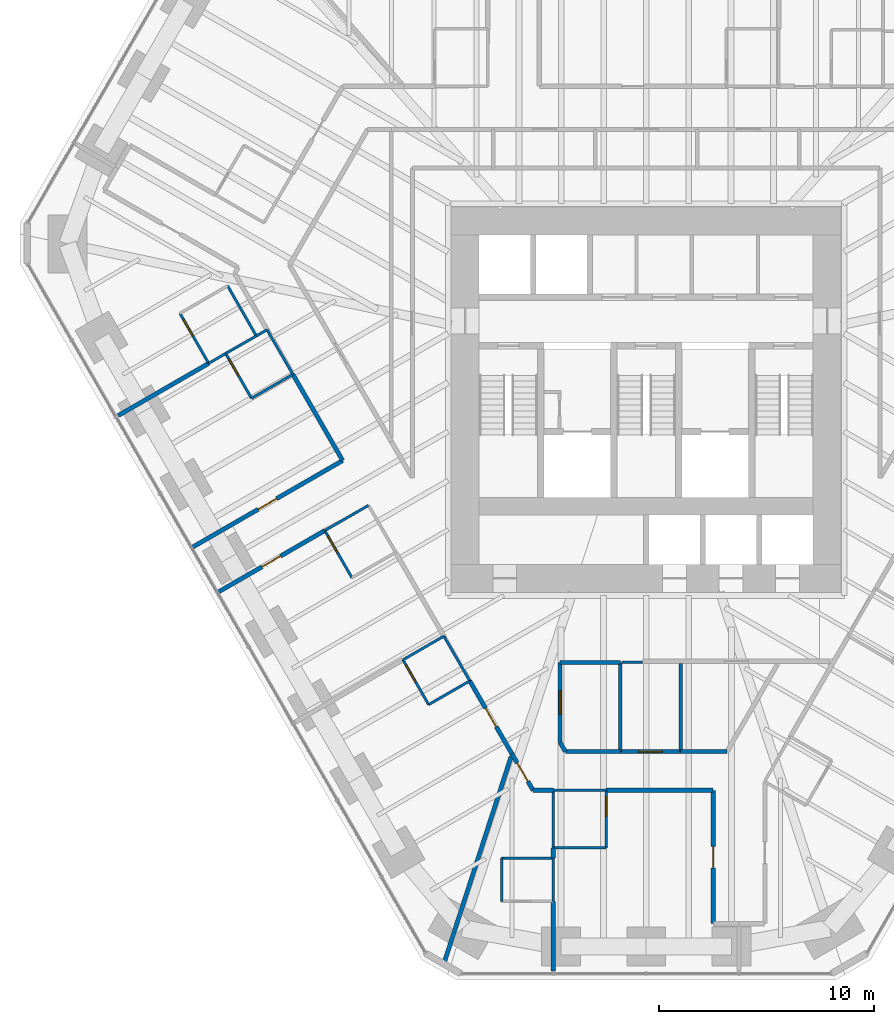
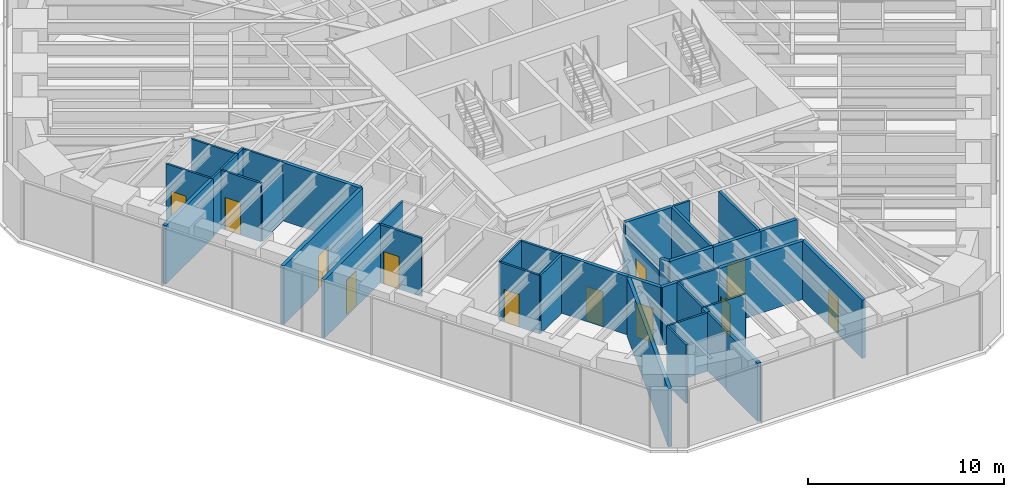
# One storey, part 11 of 17: 42 walls, 12 doors, 12 openings.
"""IFC4 building model written with IfcOpenShell, lengths in metres."""

from ifc_helpers import new_model, si_unit, direction, frame, frame_2d, origin, place, context, subcontext, project, spatial, rectangle, extrude, material, layer, layer_set, type_object, element, fill, save


model = new_model("IFC4")

# Units and contexts
model_context = context("Model", 3, precision=1e-05, world=origin(), true_north=direction((0.0, 1.0)))
body_context = subcontext(model_context, "Body", "Model", "MODEL_VIEW")
ifc_project = project(units=[si_unit("LENGTHUNIT", "METRE"), si_unit("AREAUNIT", "SQUARE_METRE"), si_unit("VOLUMEUNIT", "CUBIC_METRE"), si_unit("PLANEANGLEUNIT", "RADIAN"), si_unit("MASSUNIT", "GRAM", prefix="KILO")], contexts=[model_context])

# Site, building, storey
site_placement = place(None, origin())
site = spatial("IfcSite", under=ifc_project, at=site_placement, CompositionType="ELEMENT")
building_placement = place(site_placement, origin())
building = spatial("IfcBuilding", under=site, at=building_placement, Name="Sandreach Pilgrim Tower", CompositionType="ELEMENT")
storey_placement = place(building_placement, frame((0.0, 0.0, 112.0)))
storey = spatial("IfcBuildingStorey", under=building, at=storey_placement, Name="L27", CompositionType="ELEMENT", Elevation=112.0)

# Walls
ifc_material_1 = material(Name="Gypsum board on steel studs", Category="steel")
ifc_layer_1 = layer(ifc_material_1, 0.14990234375)
ifc_layer_set_1 = layer_set([ifc_layer_1], Name="Back of house wall 150")
wall_type_1 = type_object("IfcWallType", Name="Back of house wall 150", PredefinedType="PARTITIONING", material=ifc_layer_set_1)
wall_1_placement = place(storey_placement, frame((-1.199951171875, -13.75, 0.0), z_axis=(0.0, 0.0, 1.0), x_axis=(0.0, -1.0, 0.0)))
element("IfcWall", 1, at=wall_1_placement, inside=storey, type_object=wall_type_1, Name="Back of house wall L27-080", PredefinedType="PARTITIONING", context=body_context, shape_type="SweptSolid", body=[
    extrude(rectangle(XDim=4.139892578125, YDim=0.14990234375, at=frame_2d((2.06982421875, 0.0))), origin(), (0.0, 0.0, 1.0), 3.639892578125),
])
wall_2_placement = place(storey_placement, frame((1.60009765625, -13.800048828125, 0.0), z_axis=(0.0, 0.0, 1.0), x_axis=(0.0, -1.0, 0.0)))
element("IfcWall", 2, at=wall_2_placement, inside=storey, type_object=wall_type_1, Name="Back of house wall L27-083", PredefinedType="PARTITIONING", context=body_context, shape_type="SweptSolid", body=[
    extrude(rectangle(XDim=4.08984375, YDim=0.14990234375, at=frame_2d((2.044921875, 0.0))), origin(), (0.0, 0.0, 1.0), 3.639892578125),
])

# Wall, opening, door
ifc_material_2 = material(Name="Moisture-resistant gypsum board on steel studs", Category="steel")
ifc_layer_2 = layer(ifc_material_2, 0.1201171875)
ifc_layer_set_2 = layer_set([ifc_layer_2], Name="Bathroom partition 120")
wall_type_2 = type_object("IfcWallType", Name="Bathroom partition 120", PredefinedType="PARTITIONING", material=ifc_layer_set_2)
wall_3_placement = place(storey_placement, frame((-21.639892578125, 2.449951171875, 0.0), z_axis=(0.0, 0.0, 1.0), x_axis=(0.497288831399, -0.867585049529, 0.0)))
wall_3 = element("IfcWall", 3, at=wall_3_placement, inside=storey, type_object=wall_type_2, Name="Bathroom partition L27-007", PredefinedType="PARTITIONING", context=body_context, shape_type="SweptSolid", body=[
    extrude(rectangle(XDim=2.674072265625, YDim=0.1201171875, at=frame_2d((1.3369140625, 0.0))), origin(), (0.0, 0.0, 1.0), 3.639892578125),
])
opening_1_placement = place(wall_3_placement, frame((0.300048828125, 0.0, 0.0)))
opening_1 = element("IfcOpeningElement", 4, at=opening_1_placement, cuts=wall_3, Name="Opening D09-15B", PredefinedType="OPENING", context=body_context, shape_type="SweptSolid", body=[
    extrude(rectangle(XDim=0.89990234375, YDim=2.030029296875, at=frame_2d((0.449951171875, 1.01513671875))), frame((0.0, 0.06005859375, 0.0), z_axis=(0.0, -1.0, 0.0), x_axis=(1.0, 0.0, 0.0)), (0.0, 0.0, 1.0), 0.1201171875),
])
ifc_material_3 = material(Name="Timber door, steel frame", Category="steel")
door_type_1 = type_object("IfcDoorType", Name="Bathroom door", OperationType="SINGLE_SWING_LEFT", PredefinedType="DOOR", material=ifc_material_3)
door_1_placement = place(opening_1_placement, origin())
door_1 = element("IfcDoor", 5, at=door_1_placement, inside=storey, type_object=door_type_1, Name="Door 2715B", OperationType="SINGLE_SWING_LEFT", OverallHeight=2.030029296875, OverallWidth=0.89990234375, PredefinedType="DOOR", context=body_context, shape_type="SweptSolid", body=[
    extrude(rectangle(XDim=0.89990234375, YDim=2.030029296875, at=frame_2d((0.449951171875, 1.01513671875))), frame((0.0, 0.02490234375, 0.0), z_axis=(0.0, -1.0, 0.0), x_axis=(1.0, 0.0, 0.0)), (0.0, 0.0, 1.0), 0.050048828125),
])
fill(opening_1, door_1)

# Wall
wall_4_placement = place(storey_placement, frame((-20.31005859375, 0.1298828125, 0.0), z_axis=(0.0, 0.0, 1.0), x_axis=(0.864088651014, 0.503339649926, 0.0)))
element("IfcWall", 6, at=wall_4_placement, inside=storey, type_object=wall_type_2, Name="Bathroom partition L27-008", PredefinedType="PARTITIONING", context=body_context, shape_type="SweptSolid", body=[
    extrude(rectangle(XDim=0.914306640625, YDim=0.1201171875, at=frame_2d((0.45703125, 0.0))), origin(), (0.0, 0.0, 1.0), 3.639892578125),
])

# Wall, opening, door
wall_5_placement = place(storey_placement, frame((-19.52001953125, 0.590087890625, 0.0), z_axis=(0.0, 0.0, 1.0), x_axis=(0.499693115345, -0.866202511239, 0.0)))
wall_5 = element("IfcWall", 7, at=wall_5_placement, inside=storey, type_object=wall_type_2, Name="Bathroom partition L27-011", PredefinedType="PARTITIONING", context=body_context, shape_type="SweptSolid", body=[
    extrude(rectangle(XDim=2.4013671875, YDim=0.1201171875, at=frame_2d((1.20068359375, 0.0))), origin(), (0.0, 0.0, 1.0), 3.639892578125),
])
opening_2_placement = place(wall_5_placement, frame((0.300048828125, 0.0, 0.0)))
opening_2 = element("IfcOpeningElement", 8, at=opening_2_placement, cuts=wall_5, Name="Opening D09-14B", PredefinedType="OPENING", context=body_context, shape_type="SweptSolid", body=[
    extrude(rectangle(XDim=0.89990234375, YDim=2.030029296875, at=frame_2d((0.449951171875, 1.01513671875))), frame((0.0, 0.06005859375, 0.0), z_axis=(0.0, -1.0, 0.0), x_axis=(1.0, 0.0, 0.0)), (0.0, 0.0, 1.0), 0.1201171875),
])
door_2_placement = place(opening_2_placement, origin())
door_2 = element("IfcDoor", 9, at=door_2_placement, inside=storey, type_object=door_type_1, Name="Door 2714B", OperationType="SINGLE_SWING_LEFT", OverallHeight=2.030029296875, OverallWidth=0.89990234375, PredefinedType="DOOR", context=body_context, shape_type="SweptSolid", body=[
    extrude(rectangle(XDim=0.89990234375, YDim=2.030029296875, at=frame_2d((0.449951171875, 1.01513671875))), frame((0.0, 0.02490234375, 0.0), z_axis=(0.0, -1.0, 0.0), x_axis=(1.0, 0.0, 0.0)), (0.0, 0.0, 1.0), 0.050048828125),
])
fill(opening_2, door_2)

# Walls
wall_6_placement = place(storey_placement, frame((-19.52001953125, 0.590087890625, 0.0), z_axis=(0.0, 0.0, 1.0), x_axis=(0.868013991935, 0.496539736381, 0.0)))
element("IfcWall", 10, at=wall_6_placement, inside=storey, type_object=wall_type_2, Name="Bathroom partition L27-012", PredefinedType="PARTITIONING", context=body_context, shape_type="SweptSolid", body=[
    extrude(rectangle(XDim=1.6396484375, YDim=0.1201171875, at=frame_2d((0.81982421875, 0.0))), origin(), (0.0, 0.0, 1.0), 3.639892578125),
])
wall_7_placement = place(storey_placement, frame((-18.320068359375, -1.489990234375, 0.0), z_axis=(0.0, 0.0, 1.0), x_axis=(0.865732595383, 0.500506816428, 0.0)))
element("IfcWall", 11, at=wall_7_placement, inside=storey, type_object=wall_type_2, Name="Bathroom partition L27-017", PredefinedType="PARTITIONING", context=body_context, shape_type="SweptSolid", body=[
    extrude(rectangle(XDim=2.218017578125, YDim=0.1201171875, at=frame_2d((1.10888671875, 0.0))), origin(), (0.0, 0.0, 1.0), 3.022705078125),
])
wall_8_placement = place(storey_placement, frame((-18.10009765625, 1.409912109375, 0.0), z_axis=(0.0, 0.0, 1.0), x_axis=(-0.497288831399, 0.867585049529, 0.0)))
element("IfcWall", 12, at=wall_8_placement, inside=storey, type_object=wall_type_2, Name="Bathroom partition L27-018", PredefinedType="PARTITIONING", context=body_context, shape_type="SweptSolid", body=[
    extrude(rectangle(XDim=2.674072265625, YDim=0.1201171875, at=frame_2d((1.3369140625, 0.0))), origin(), (0.0, 0.0, 1.0), 3.639892578125),
])
wall_9_placement = place(storey_placement, frame((-18.0966796875, 1.404296875, 0.0), z_axis=(0.0, 0.0, 1.0), x_axis=(0.866823419736, 0.498615241441, 0.0)))
element("IfcWall", 13, at=wall_9_placement, inside=storey, type_object=wall_type_2, Name="Bathroom partition L27-019", PredefinedType="PARTITIONING", context=body_context, shape_type="SweptSolid", body=[
    extrude(rectangle(XDim=0.57275390625, YDim=0.1201171875, at=frame_2d((0.286376953125, 0.0))), origin(), (0.0, 0.0, 1.0), 3.639892578125),
])
wall_10_placement = place(storey_placement, frame((-17.60009765625, 1.68994140625, 0.0), z_axis=(0.0, 0.0, 1.0), x_axis=(0.501579132034, -0.865111769836, 0.0)))
element("IfcWall", 14, at=wall_10_placement, inside=storey, type_object=wall_type_2, Name="Bathroom partition L27-021", PredefinedType="PARTITIONING", context=body_context, shape_type="SweptSolid", body=[
    extrude(rectangle(XDim=2.392822265625, YDim=0.1201171875, at=frame_2d((1.1962890625, 0.0))), origin(), (0.0, 0.0, 1.0), 3.639892578125),
])

# Wall, opening, door
wall_11_placement = place(storey_placement, frame((-14.919921875, -7.6298828125, 0.0), z_axis=(0.0, 0.0, 1.0), x_axis=(0.498665353881, -0.866794592068, 0.0)))
wall_11 = element("IfcWall", 15, at=wall_11_placement, inside=storey, type_object=wall_type_2, Name="Bathroom partition L27-027", PredefinedType="PARTITIONING", context=body_context, shape_type="SweptSolid", body=[
    extrude(rectangle(XDim=2.52685546875, YDim=0.1201171875, at=frame_2d((1.263427734375, 0.0))), origin(), (0.0, 0.0, 1.0), 3.639892578125),
])
opening_3_placement = place(wall_11_placement, frame((0.300048828125, 0.0, 0.0)))
opening_3 = element("IfcOpeningElement", 16, at=opening_3_placement, cuts=wall_11, Name="Opening D09-13B", PredefinedType="OPENING", context=body_context, shape_type="SweptSolid", body=[
    extrude(rectangle(XDim=0.89990234375, YDim=2.030029296875, at=frame_2d((0.449951171875, 1.01513671875))), frame((0.0, 0.06005859375, 0.0), z_axis=(0.0, -1.0, 0.0), x_axis=(1.0, 0.0, 0.0)), (0.0, 0.0, 1.0), 0.1201171875),
])
door_3_placement = place(opening_3_placement, origin())
door_3 = element("IfcDoor", 17, at=door_3_placement, inside=storey, type_object=door_type_1, Name="Door 2713B", OperationType="SINGLE_SWING_LEFT", OverallHeight=2.030029296875, OverallWidth=0.89990234375, PredefinedType="DOOR", context=body_context, shape_type="SweptSolid", body=[
    extrude(rectangle(XDim=0.89990234375, YDim=2.030029296875, at=frame_2d((0.449951171875, 1.01513671875))), frame((0.0, 0.02490234375, 0.0), z_axis=(0.0, -1.0, 0.0), x_axis=(1.0, 0.0, 0.0)), (0.0, 0.0, 1.0), 0.050048828125),
])
fill(opening_3, door_3)

# Wall
wall_12_placement = place(storey_placement, frame((-14.919921875, -7.6298828125, 0.0), z_axis=(0.0, 0.0, 1.0), x_axis=(0.866390229467, 0.499367570316, 0.0)))
element("IfcWall", 18, at=wall_12_placement, inside=storey, type_object=wall_type_2, Name="Bathroom partition L27-028", PredefinedType="PARTITIONING", context=body_context, shape_type="SweptSolid", body=[
    extrude(rectangle(XDim=2.3427734375, YDim=0.1201171875, at=frame_2d((1.17138671875, 0.0))), origin(), (0.0, 0.0, 1.0), 3.639892578125),
])

# Wall, opening, door
wall_13_placement = place(storey_placement, frame((-11.2900390625, -13.6298828125, 0.0), z_axis=(0.0, 0.0, 1.0), x_axis=(0.496555799318, -0.868004803076, 0.0)))
wall_13 = element("IfcWall", 19, at=wall_13_placement, inside=storey, type_object=wall_type_2, Name="Bathroom partition L27-038", PredefinedType="PARTITIONING", context=body_context, shape_type="SweptSolid", body=[
    extrude(rectangle(XDim=2.396484375, YDim=0.1201171875, at=frame_2d((1.1982421875, 0.0))), origin(), (0.0, 0.0, 1.0), 3.639892578125),
])
opening_4_placement = place(wall_13_placement, frame((0.300048828125, 0.0, 0.0)))
opening_4 = element("IfcOpeningElement", 20, at=opening_4_placement, cuts=wall_13, Name="Opening D09-12B", PredefinedType="OPENING", context=body_context, shape_type="SweptSolid", body=[
    extrude(rectangle(XDim=0.89990234375, YDim=2.030029296875, at=frame_2d((0.449951171875, 1.01513671875))), frame((0.0, 0.06005859375, 0.0), z_axis=(0.0, -1.0, 0.0), x_axis=(1.0, 0.0, 0.0)), (0.0, 0.0, 1.0), 0.1201171875),
])
door_4_placement = place(opening_4_placement, origin())
door_4 = element("IfcDoor", 21, at=door_4_placement, inside=storey, type_object=door_type_1, Name="Door 2712B", OperationType="SINGLE_SWING_LEFT", OverallHeight=2.030029296875, OverallWidth=0.89990234375, PredefinedType="DOOR", context=body_context, shape_type="SweptSolid", body=[
    extrude(rectangle(XDim=0.89990234375, YDim=2.030029296875, at=frame_2d((0.449951171875, 1.01513671875))), frame((0.0, 0.02490234375, 0.0), z_axis=(0.0, -1.0, 0.0), x_axis=(1.0, 0.0, 0.0)), (0.0, 0.0, 1.0), 0.050048828125),
])
fill(opening_4, door_4)

# Walls
wall_14_placement = place(storey_placement, frame((-11.2900390625, -13.6298828125, 0.0), z_axis=(0.0, 0.0, 1.0), x_axis=(0.865444051011, 0.501005583372, 0.0)))
element("IfcWall", 22, at=wall_14_placement, inside=storey, type_object=wall_type_2, Name="Bathroom partition L27-039", PredefinedType="PARTITIONING", context=body_context, shape_type="SweptSolid", body=[
    extrude(rectangle(XDim=2.1953125, YDim=0.1201171875, at=frame_2d((1.09765625, 0.0))), origin(), (0.0, 0.0, 1.0), 3.639892578125),
])
wall_15_placement = place(storey_placement, frame((-10.10009765625, -15.7099609375, 0.0), z_axis=(0.0, 0.0, 1.0), x_axis=(0.866609394187, 0.498987132006, 0.0)))
element("IfcWall", 23, at=wall_15_placement, inside=storey, type_object=wall_type_2, Name="Bathroom partition L27-043", PredefinedType="PARTITIONING", context=body_context, shape_type="SweptSolid", body=[
    extrude(rectangle(XDim=2.2041015625, YDim=0.1201171875, at=frame_2d((1.10205078125, 0.0))), origin(), (0.0, 0.0, 1.0), 3.639892578125),
])
wall_16_placement = place(storey_placement, frame((-9.389892578125, -12.530029296875, 0.0), z_axis=(0.0, 0.0, 1.0), x_axis=(0.499737123639, -0.866177122335, 0.0)))
element("IfcWall", 24, at=wall_16_placement, inside=storey, type_object=wall_type_2, Name="Bathroom partition L27-047", PredefinedType="PARTITIONING", context=body_context, shape_type="SweptSolid", body=[
    extrude(rectangle(XDim=2.401123046875, YDim=0.1201171875, at=frame_2d((1.20068359375, 0.0))), origin(), (0.0, 0.0, 1.0), 3.639892578125),
])
for number, where, z_axis, x_axis, name in (
    (25, (-6.7099609375, -22.840087890625, 0.0), (0.0, 0.0, 1.0), (0.0, -1.0, 0.0), "Bathroom partition L27-057"),
    (26, (-4.31005859375, -24.840087890625, 0.0), (0.0, 0.0, 1.0), (0.0, 1.0, 0.0), "Bathroom partition L27-065"),
):
    element("IfcWall", number, at=place(storey_placement, frame(where, z_axis=z_axis, x_axis=x_axis)), inside=storey, type_object=wall_type_2, Name=name, PredefinedType="PARTITIONING", context=body_context, shape_type="SweptSolid", body=[
        extrude(rectangle(XDim=2.0, YDim=0.1201171875, at=frame_2d((1.0, 0.0))), origin(), (0.0, 0.0, 1.0), 3.639892578125),
    ])
wall_17_placement = place(storey_placement, frame((-4.31005859375, -22.840087890625, 0.0), z_axis=(0.0, 0.0, 1.0), x_axis=(-1.0, 0.0, 0.0)))
element("IfcWall", 27, at=wall_17_placement, inside=storey, type_object=wall_type_2, Name="Bathroom partition L27-066", PredefinedType="PARTITIONING", context=body_context, shape_type="SweptSolid", body=[
    extrude(rectangle(XDim=2.39990234375, YDim=0.1201171875, at=frame_2d((1.199951171875, 0.0))), origin(), (0.0, 0.0, 1.0), 3.639892578125),
])
wall_18_placement = place(storey_placement, frame((-4.31005859375, -22.360107421875, 0.0), z_axis=(0.0, 0.0, 1.0), x_axis=(0.0, 1.0, 0.0)))
element("IfcWall", 28, at=wall_18_placement, inside=storey, type_object=wall_type_2, Name="Bathroom partition L27-068", PredefinedType="PARTITIONING", context=body_context, shape_type="SweptSolid", body=[
    extrude(rectangle(XDim=2.670166015625, YDim=0.1201171875, at=frame_2d((1.3349609375, 0.0))), origin(), (0.0, 0.0, 1.0), 3.639892578125),
])
for number, where, z_axis, x_axis, name in (
    (29, (-4.31005859375, -22.360107421875, 0.0), (0.0, 0.0, 1.0), (1.0, 0.0, 0.0), "Bathroom partition L27-069"),
    (30, (-4.31005859375, -19.68994140625, 0.0), (0.0, 0.0, 1.0), (1.0, 0.0, 0.0), "Bathroom partition L27-070"),
):
    element("IfcWall", number, at=place(storey_placement, frame(where, z_axis=z_axis, x_axis=x_axis)), inside=storey, type_object=wall_type_2, Name=name, PredefinedType="PARTITIONING", context=body_context, shape_type="SweptSolid", body=[
        extrude(rectangle(XDim=2.449951171875, YDim=0.1201171875, at=frame_2d((1.22509765625, 0.0))), origin(), (0.0, 0.0, 1.0), 3.639892578125),
    ])

# Wall, opening, door
wall_19_placement = place(storey_placement, frame((-1.860107421875, -22.360107421875, 0.0), z_axis=(0.0, 0.0, 1.0), x_axis=(0.0, 1.0, 0.0)))
wall_19 = element("IfcWall", 31, at=wall_19_placement, inside=storey, type_object=wall_type_2, Name="Bathroom partition L27-077", PredefinedType="PARTITIONING", context=body_context, shape_type="SweptSolid", body=[
    extrude(rectangle(XDim=2.670166015625, YDim=0.1201171875, at=frame_2d((1.3349609375, 0.0))), origin(), (0.0, 0.0, 1.0), 2.860107421875),
])
opening_5_placement = place(wall_19_placement, frame((1.469970703125, 0.0, 0.0)))
opening_5 = element("IfcOpeningElement", 32, at=opening_5_placement, cuts=wall_19, Name="Opening D09-10B", PredefinedType="OPENING", context=body_context, shape_type="SweptSolid", body=[
    extrude(rectangle(XDim=0.89990234375, YDim=2.030029296875, at=frame_2d((0.449951171875, 1.01513671875))), frame((0.0, 0.06005859375, 0.0), z_axis=(0.0, -1.0, 0.0), x_axis=(1.0, 0.0, 0.0)), (0.0, 0.0, 1.0), 0.1201171875),
])
door_5_placement = place(opening_5_placement, origin())
door_5 = element("IfcDoor", 33, at=door_5_placement, inside=storey, type_object=door_type_1, Name="Door 2710B", OperationType="SINGLE_SWING_RIGHT", OverallHeight=2.030029296875, OverallWidth=0.89990234375, PredefinedType="DOOR", context=body_context, shape_type="SweptSolid", body=[
    extrude(rectangle(XDim=0.89990234375, YDim=2.030029296875, at=frame_2d((0.449951171875, 1.01513671875))), frame((0.0, 0.02490234375, 0.0), z_axis=(0.0, -1.0, 0.0), x_axis=(1.0, 0.0, 0.0)), (0.0, 0.0, 1.0), 0.050048828125),
])
fill(opening_5, door_5)

# Wall
wall_20_placement = place(storey_placement, frame((-1.125, -13.75, 0.0), z_axis=(0.0, 0.0, 1.0), x_axis=(1.0, 0.0, 0.0)))
element("IfcWall", 34, at=wall_20_placement, inside=storey, type_object=wall_type_2, Name="Bathroom partition L27-081", PredefinedType="PARTITIONING", context=body_context, shape_type="SweptSolid", body=[
    extrude(rectangle(XDim=0.955078125, YDim=0.1201171875, at=frame_2d((0.4775390625, 0.0))), origin(), (0.0, 0.0, 1.0), 3.639892578125),
])

# Wall, opening, door
ifc_material_4 = material(Name="Gypsum board on steel studs, two layers each side", Category="steel")
ifc_layer_3 = layer(ifc_material_4, 0.199951171875)
ifc_layer_set_3 = layer_set([ifc_layer_3], Name="Corridor wall 200")
wall_type_3 = type_object("IfcWallType", Name="Corridor wall 200", PredefinedType="PARTITIONING", material=ifc_layer_set_3)
wall_21_placement = place(storey_placement, frame((-19.884033203125, -10.4951171875, 0.0), z_axis=(0.0, 0.0, 1.0), x_axis=(0.86608558139, 0.499895754841, 0.0)))
wall_21 = element("IfcWall", 35, at=wall_21_placement, inside=storey, type_object=wall_type_3, Name="Corridor wall L27-010", PredefinedType="PARTITIONING", context=body_context, shape_type="SweptSolid", body=[
    extrude(rectangle(XDim=5.731689453125, YDim=0.199951171875, at=frame_2d((2.86572265625, 0.0))), origin(), (0.0, 0.0, 1.0), 3.639892578125),
])
opening_6_placement = place(wall_21_placement, frame((2.36572265625, 0.0, 0.0)))
opening_6 = element("IfcOpeningElement", 36, at=opening_6_placement, cuts=wall_21, Name="Opening D10-13", PredefinedType="OPENING", context=body_context, shape_type="SweptSolid", body=[
    extrude(rectangle(XDim=1.0, YDim=2.1298828125, at=frame_2d((0.5, 1.06494140625))), frame((0.0, 0.10009765625, 0.0), z_axis=(0.0, -1.0, 0.0), x_axis=(1.0, 0.0, 0.0)), (0.0, 0.0, 1.0), 0.199951171875),
])
ifc_material_5 = material(Name="Steel door and frame", Category="steel")
door_type_2 = type_object("IfcDoorType", Name="Guest room entry door", OperationType="SINGLE_SWING_LEFT", PredefinedType="DOOR", material=ifc_material_5)
door_6_placement = place(opening_6_placement, origin())
door_6 = element("IfcDoor", 37, at=door_6_placement, inside=storey, type_object=door_type_2, Name="Door 2713", OperationType="SINGLE_SWING_LEFT", OverallHeight=2.1298828125, OverallWidth=1.0, PredefinedType="DOOR", context=body_context, shape_type="SweptSolid", body=[
    extrude(rectangle(XDim=1.0, YDim=2.1298828125, at=frame_2d((0.5, 1.06494140625))), frame((0.0, 0.02490234375, 0.0), z_axis=(0.0, -1.0, 0.0), x_axis=(1.0, 0.0, 0.0)), (0.0, 0.0, 1.0), 0.050048828125),
])
fill(opening_6, door_6)

# Wall
wall_22_placement = place(storey_placement, frame((-16.39990234375, -0.3798828125, 0.0), z_axis=(0.0, 0.0, 1.0), x_axis=(0.500091179446, -0.865972754907, 0.0)))
element("IfcWall", 38, at=wall_22_placement, inside=storey, type_object=wall_type_3, Name="Corridor wall L27-025", PredefinedType="PARTITIONING", context=body_context, shape_type="SweptSolid", body=[
    extrude(rectangle(XDim=4.604248046875, YDim=0.199951171875, at=frame_2d((2.30224609375, 0.0))), origin(), (0.0, 0.0, 1.0), 3.639892578125),
])

# Wall, opening, door
wall_23_placement = place(storey_placement, frame((-14.090087890625, -4.3798828125, 0.0), z_axis=(0.0, 0.0, 1.0), x_axis=(-0.866174008169, -0.499742521277, 0.0)))
wall_23 = element("IfcWall", 39, at=wall_23_placement, inside=storey, type_object=wall_type_3, Name="Corridor wall L27-029", PredefinedType="PARTITIONING", context=body_context, shape_type="SweptSolid", body=[
    extrude(rectangle(XDim=8.074462890625, YDim=0.199951171875, at=frame_2d((4.037109375, 0.0))), origin(), (0.0, 0.0, 1.0), 3.639892578125),
])
opening_7_placement = place(wall_23_placement, frame((3.537353515625, 0.0, 0.0)))
opening_7 = element("IfcOpeningElement", 40, at=opening_7_placement, cuts=wall_23, Name="Opening D10-14", PredefinedType="OPENING", context=body_context, shape_type="SweptSolid", body=[
    extrude(rectangle(XDim=1.0, YDim=2.1298828125, at=frame_2d((0.5, 1.06494140625))), frame((0.0, 0.10009765625, 0.0), z_axis=(0.0, -1.0, 0.0), x_axis=(1.0, 0.0, 0.0)), (0.0, 0.0, 1.0), 0.199951171875),
])
door_7_placement = place(opening_7_placement, origin())
door_7 = element("IfcDoor", 41, at=door_7_placement, inside=storey, type_object=door_type_2, Name="Door 2714", OperationType="SINGLE_SWING_LEFT", OverallHeight=2.1298828125, OverallWidth=1.0, PredefinedType="DOOR", context=body_context, shape_type="SweptSolid", body=[
    extrude(rectangle(XDim=1.0, YDim=2.1298828125, at=frame_2d((0.5, 1.06494140625))), frame((0.0, 0.02490234375, 0.0), z_axis=(0.0, -1.0, 0.0), x_axis=(1.0, 0.0, 0.0)), (0.0, 0.0, 1.0), 0.050048828125),
])
fill(opening_7, door_7)

wall_24_placement = place(storey_placement, frame((-8.18994140625, -14.610107421875, 0.0), z_axis=(0.0, 0.0, 1.0), x_axis=(0.50053726643, -0.86571499058, 0.0)))
wall_24 = element("IfcWall", 42, at=wall_24_placement, inside=storey, type_object=wall_type_3, Name="Corridor wall L27-048", PredefinedType="PARTITIONING", context=body_context, shape_type="SweptSolid", body=[
    extrude(rectangle(XDim=3.915771484375, YDim=0.199951171875, at=frame_2d((1.9580078125, 0.0))), origin(), (0.0, 0.0, 1.0), 3.639892578125),
])
opening_8_placement = place(wall_24_placement, frame((1.4580078125, 0.0, 0.0)))
opening_8 = element("IfcOpeningElement", 43, at=opening_8_placement, cuts=wall_24, Name="Opening D10-12", PredefinedType="OPENING", context=body_context, shape_type="SweptSolid", body=[
    extrude(rectangle(XDim=1.0, YDim=2.1298828125, at=frame_2d((0.5, 1.06494140625))), frame((0.0, 0.10009765625, 0.0), z_axis=(0.0, -1.0, 0.0), x_axis=(1.0, 0.0, 0.0)), (0.0, 0.0, 1.0), 0.199951171875),
])
door_8_placement = place(opening_8_placement, origin())
door_8 = element("IfcDoor", 44, at=door_8_placement, inside=storey, type_object=door_type_2, Name="Door 2712", OperationType="SINGLE_SWING_LEFT", OverallHeight=2.1298828125, OverallWidth=1.0, PredefinedType="DOOR", context=body_context, shape_type="SweptSolid", body=[
    extrude(rectangle(XDim=1.0, YDim=2.1298828125, at=frame_2d((0.5, 1.06494140625))), frame((0.0, 0.02490234375, 0.0), z_axis=(0.0, -1.0, 0.0), x_axis=(1.0, 0.0, 0.0)), (0.0, 0.0, 1.0), 0.050048828125),
])
fill(opening_8, door_8)

wall_25_placement = place(storey_placement, frame((-6.22998046875, -18.0, 0.0), z_axis=(0.0, 0.0, 1.0), x_axis=(0.501647016168, -0.86507240805, 0.0)))
wall_25 = element("IfcWall", 45, at=wall_25_placement, inside=storey, type_object=wall_type_3, Name="Corridor wall L27-058", PredefinedType="PARTITIONING", context=body_context, shape_type="SweptSolid", body=[
    extrude(rectangle(XDim=1.95361328125, YDim=0.199951171875, at=frame_2d((0.976806640625, 0.0))), origin(), (0.0, 0.0, 1.0), 3.639892578125),
])
opening_9_placement = place(wall_25_placement, frame((0.476806640625, 0.0, 0.0)))
opening_9 = element("IfcOpeningElement", 46, at=opening_9_placement, cuts=wall_25, Name="Opening D10-11", PredefinedType="OPENING", context=body_context, shape_type="SweptSolid", body=[
    extrude(rectangle(XDim=1.0, YDim=2.1298828125, at=frame_2d((0.5, 1.06494140625))), frame((0.0, 0.10009765625, 0.0), z_axis=(0.0, -1.0, 0.0), x_axis=(1.0, 0.0, 0.0)), (0.0, 0.0, 1.0), 0.199951171875),
])
door_9_placement = place(opening_9_placement, origin())
door_9 = element("IfcDoor", 47, at=door_9_placement, inside=storey, type_object=door_type_2, Name="Door 2711", OperationType="SINGLE_SWING_LEFT", OverallHeight=2.1298828125, OverallWidth=1.0, PredefinedType="DOOR", context=body_context, shape_type="SweptSolid", body=[
    extrude(rectangle(XDim=1.0, YDim=2.1298828125, at=frame_2d((0.5, 1.06494140625))), frame((0.0, 0.02490234375, 0.0), z_axis=(0.0, -1.0, 0.0), x_axis=(1.0, 0.0, 0.0)), (0.0, 0.0, 1.0), 0.050048828125),
])
fill(opening_9, door_9)

# Wall
wall_26_placement = place(storey_placement, frame((-5.25, -19.68994140625, 0.0), z_axis=(0.0, 0.0, 1.0), x_axis=(1.0, 0.0, 0.0)))
element("IfcWall", 48, at=wall_26_placement, inside=storey, type_object=wall_type_3, Name="Corridor wall L27-061", PredefinedType="PARTITIONING", context=body_context, shape_type="SweptSolid", body=[
    extrude(rectangle(XDim=0.93994140625, YDim=0.199951171875, at=frame_2d((0.469970703125, 0.0))), origin(), (0.0, 0.0, 1.0), 3.639892578125),
])

# Wall, opening, door
wall_27_placement = place(storey_placement, frame((-4.0, -17.4599609375, 0.0), z_axis=(0.0, 0.0, 1.0), x_axis=(0.0, 1.0, 0.0)))
wall_27 = element("IfcWall", 49, at=wall_27_placement, inside=storey, type_object=wall_type_3, Name="Corridor wall L27-071", PredefinedType="PARTITIONING", context=body_context, shape_type="SweptSolid", body=[
    extrude(rectangle(XDim=3.7099609375, YDim=0.199951171875, at=frame_2d((1.85498046875, 0.0))), origin(), (0.0, 0.0, 1.0), 2.8779296875),
])
opening_10_placement = place(wall_27_placement, frame((1.304931640625, 0.0, 0.0)))
opening_10 = element("IfcOpeningElement", 50, at=opening_10_placement, cuts=wall_27, Name="Opening D11H-S2", PredefinedType="OPENING", context=body_context, shape_type="SweptSolid", body=[
    extrude(rectangle(XDim=1.10009765625, YDim=2.199951171875, at=frame_2d((0.550048828125, 1.10009765625))), frame((0.0, 0.10009765625, 0.0), z_axis=(0.0, -1.0, 0.0), x_axis=(1.0, 0.0, 0.0)), (0.0, 0.0, 1.0), 0.199951171875),
])
ifc_material_6 = material(Name="Steel door and frame", Category="steel")
door_type_3 = type_object("IfcDoorType", Name="Back of house door", OperationType="SINGLE_SWING_LEFT", PredefinedType="DOOR", material=ifc_material_6)
door_10_placement = place(opening_10_placement, origin())
door_10 = element("IfcDoor", 51, at=door_10_placement, inside=storey, type_object=door_type_3, Name="Door 27S2", OperationType="SINGLE_SWING_LEFT", OverallHeight=2.199951171875, OverallWidth=1.10009765625, PredefinedType="DOOR", context=body_context, shape_type="SweptSolid", body=[
    extrude(rectangle(XDim=1.10009765625, YDim=2.199951171875, at=frame_2d((0.550048828125, 1.10009765625))), frame((0.0, 0.02490234375, 0.0), z_axis=(0.0, -1.0, 0.0), x_axis=(1.0, 0.0, 0.0)), (0.0, 0.0, 1.0), 0.050048828125),
])
fill(opening_10, door_10)

# Walls
wall_28_placement = place(storey_placement, frame((-3.989990234375, -13.75, 0.0), z_axis=(0.0, 0.0, 1.0), x_axis=(1.0, 0.0, 0.0)))
element("IfcWall", 52, at=wall_28_placement, inside=storey, type_object=wall_type_3, Name="Corridor wall L27-072", PredefinedType="PARTITIONING", context=body_context, shape_type="SweptSolid", body=[
    extrude(rectangle(XDim=2.7900390625, YDim=0.199951171875, at=frame_2d((1.39501953125, 0.0))), origin(), (0.0, 0.0, 1.0), 3.639892578125),
])
wall_29_placement = place(storey_placement, frame((-3.75, -17.889892578125, 0.0), z_axis=(0.0, 0.0, 1.0), x_axis=(-0.502680181512, 0.864472460588, 0.0)))
element("IfcWall", 53, at=wall_29_placement, inside=storey, type_object=wall_type_3, Name="Corridor wall L27-073", PredefinedType="PARTITIONING", context=body_context, shape_type="SweptSolid", body=[
    extrude(rectangle(XDim=0.497314453125, YDim=0.199951171875, at=frame_2d((0.24853515625, 0.0))), origin(), (0.0, 0.0, 1.0), 3.639892578125),
])
wall_30_placement = place(storey_placement, frame((-1.860107421875, -19.68994140625, 0.0), z_axis=(0.0, 0.0, 1.0), x_axis=(1.0, 0.0, 0.0)))
element("IfcWall", 54, at=wall_30_placement, inside=storey, type_object=wall_type_3, Name="Corridor wall L27-078", PredefinedType="PARTITIONING", context=body_context, shape_type="SweptSolid", body=[
    extrude(rectangle(XDim=4.960205078125, YDim=0.199951171875, at=frame_2d((2.47998046875, 0.0))), origin(), (0.0, 0.0, 1.0), 3.639892578125),
])
wall_31_placement = place(storey_placement, frame((-1.199951171875, -17.889892578125, 0.0), z_axis=(0.0, 0.0, 1.0), x_axis=(-1.0, 0.0, 0.0)))
element("IfcWall", 55, at=wall_31_placement, inside=storey, type_object=wall_type_3, Name="Corridor wall L27-079", PredefinedType="PARTITIONING", context=body_context, shape_type="SweptSolid", body=[
    extrude(rectangle(XDim=2.550048828125, YDim=0.199951171875, at=frame_2d((1.27490234375, 0.0))), origin(), (0.0, 0.0, 1.0), 3.639892578125),
])

# Wall, opening, door
wall_32_placement = place(storey_placement, frame((1.60009765625, -17.889892578125, 0.0), z_axis=(0.0, 0.0, 1.0), x_axis=(-1.0, 0.0, 0.0)))
wall_32 = element("IfcWall", 56, at=wall_32_placement, inside=storey, type_object=wall_type_3, Name="Corridor wall L27-082", PredefinedType="PARTITIONING", context=body_context, shape_type="SweptSolid", body=[
    extrude(rectangle(XDim=2.800048828125, YDim=0.199951171875, at=frame_2d((1.39990234375, 0.0))), origin(), (0.0, 0.0, 1.0), 3.639892578125),
])
opening_11_placement = place(wall_32_placement, frame((0.85009765625, 0.0, 0.0)))
opening_11 = element("IfcOpeningElement", 57, at=opening_11_placement, cuts=wall_32, Name="Opening D11H-S3", PredefinedType="OPENING", context=body_context, shape_type="SweptSolid", body=[
    extrude(rectangle(XDim=1.10009765625, YDim=2.199951171875, at=frame_2d((0.550048828125, 1.10009765625))), frame((0.0, 0.10009765625, 0.0), z_axis=(0.0, -1.0, 0.0), x_axis=(1.0, 0.0, 0.0)), (0.0, 0.0, 1.0), 0.199951171875),
])
door_11_placement = place(opening_11_placement, origin())
door_11 = element("IfcDoor", 58, at=door_11_placement, inside=storey, type_object=door_type_3, Name="Door 27S3", OperationType="SINGLE_SWING_LEFT", OverallHeight=2.199951171875, OverallWidth=1.10009765625, PredefinedType="DOOR", context=body_context, shape_type="SweptSolid", body=[
    extrude(rectangle(XDim=1.10009765625, YDim=2.199951171875, at=frame_2d((0.550048828125, 1.10009765625))), frame((0.0, 0.02490234375, 0.0), z_axis=(0.0, -1.0, 0.0), x_axis=(1.0, 0.0, 0.0)), (0.0, 0.0, 1.0), 0.050048828125),
])
fill(opening_11, door_11)

wall_33_placement = place(storey_placement, frame((3.110107421875, -19.68994140625, 0.0), z_axis=(0.0, 0.0, 1.0), x_axis=(0.0, -1.0, 0.0)))
wall_33 = element("IfcWall", 59, at=wall_33_placement, inside=storey, type_object=wall_type_3, Name="Corridor wall L27-087", PredefinedType="PARTITIONING", context=body_context, shape_type="SweptSolid", body=[
    extrude(rectangle(XDim=6.18994140625, YDim=0.199951171875, at=frame_2d((3.094970703125, 0.0))), origin(), (0.0, 0.0, 1.0), 3.639892578125),
])
opening_12_placement = place(wall_33_placement, frame((2.594970703125, 0.0, 0.0)))
opening_12 = element("IfcOpeningElement", 60, at=opening_12_placement, cuts=wall_33, Name="Opening D10-10", PredefinedType="OPENING", context=body_context, shape_type="SweptSolid", body=[
    extrude(rectangle(XDim=1.0, YDim=2.1298828125, at=frame_2d((0.5, 1.06494140625))), frame((0.0, 0.10009765625, 0.0), z_axis=(0.0, -1.0, 0.0), x_axis=(1.0, 0.0, 0.0)), (0.0, 0.0, 1.0), 0.199951171875),
])
door_12_placement = place(opening_12_placement, origin())
door_12 = element("IfcDoor", 61, at=door_12_placement, inside=storey, type_object=door_type_2, Name="Door 2710", OperationType="SINGLE_SWING_LEFT", OverallHeight=2.1298828125, OverallWidth=1.0, PredefinedType="DOOR", context=body_context, shape_type="SweptSolid", body=[
    extrude(rectangle(XDim=1.0, YDim=2.1298828125, at=frame_2d((0.5, 1.06494140625))), frame((0.0, 0.02490234375, 0.0), z_axis=(0.0, -1.0, 0.0), x_axis=(1.0, 0.0, 0.0)), (0.0, 0.0, 1.0), 0.050048828125),
])
fill(opening_12, door_12)

# Walls
wall_34_placement = place(storey_placement, frame((3.75, -17.889892578125, 0.0), z_axis=(0.0, 0.0, 1.0), x_axis=(-1.0, 0.0, 0.0)))
element("IfcWall", 62, at=wall_34_placement, inside=storey, type_object=wall_type_3, Name="Corridor wall L27-091", PredefinedType="PARTITIONING", context=body_context, shape_type="SweptSolid", body=[
    extrude(rectangle(XDim=2.14990234375, YDim=0.199951171875, at=frame_2d((1.074951171875, 0.0))), origin(), (0.0, 0.0, 1.0), 3.639892578125),
])
ifc_material_7 = material(Name="Double steel stud acoustic wall, gypsum board", Category="steel")
ifc_layer_4 = layer(ifc_material_7, 0.199951171875)
ifc_layer_set_4 = layer_set([ifc_layer_4], Name="Party wall 200")
wall_type_4 = type_object("IfcWallType", Name="Party wall 200", PredefinedType="PARTITIONING", material=ifc_layer_set_4)
wall_35_placement = place(storey_placement, frame((-24.506103515625, -2.2900390625, 0.0), z_axis=(0.0, 0.0, 1.0), x_axis=(0.86626361228, 0.499587183622, 0.0)))
element("IfcWall", 63, at=wall_35_placement, inside=storey, type_object=wall_type_4, Name="Party wall L27-005", PredefinedType="PARTITIONING", context=body_context, shape_type="SweptSolid", body=[
    extrude(rectangle(XDim=4.84375, YDim=0.199951171875, at=frame_2d((2.421875, 0.0))), origin(), (0.0, 0.0, 1.0), 3.639892578125),
])
wall_36_placement = place(storey_placement, frame((-9.400634765625, -27.761474609375, 0.0), z_axis=(0.0, 0.0, 1.0), x_axis=(0.308922010647, 0.951087373135, 0.0)))
element("IfcWall", 64, at=wall_36_placement, inside=storey, type_object=wall_type_4, Name="Party wall L27-046", PredefinedType="PARTITIONING", context=body_context, shape_type="SweptSolid", body=[
    extrude(rectangle(XDim=10.12841796875, YDim=0.199951171875, at=frame_2d((5.064208984375, 0.0))), origin(), (0.0, 0.0, 1.0), 3.639892578125),
])
wall_37_placement = place(storey_placement, frame((-4.31005859375, -28.070068359375, 0.0), z_axis=(0.0, 0.0, 1.0), x_axis=(0.0, 1.0, 0.0)))
element("IfcWall", 65, at=wall_37_placement, inside=storey, type_object=wall_type_4, Name="Party wall L27-064", PredefinedType="PARTITIONING", context=body_context, shape_type="SweptSolid", body=[
    extrude(rectangle(XDim=3.22998046875, YDim=0.199951171875, at=frame_2d((1.614990234375, 0.0))), origin(), (0.0, 0.0, 1.0), 3.639892578125),
])
wall_38_placement = place(storey_placement, frame((-4.31005859375, -22.840087890625, 0.0), z_axis=(0.0, 0.0, 1.0), x_axis=(0.0, 1.0, 0.0)))
element("IfcWall", 66, at=wall_38_placement, inside=storey, type_object=wall_type_4, Name="Party wall L27-067", PredefinedType="PARTITIONING", context=body_context, shape_type="SweptSolid", body=[
    extrude(rectangle(XDim=0.47998046875, YDim=0.199951171875, at=frame_2d((0.239990234375, 0.0))), origin(), (0.0, 0.0, 1.0), 3.639892578125),
])

save(model, "model.ifc")
